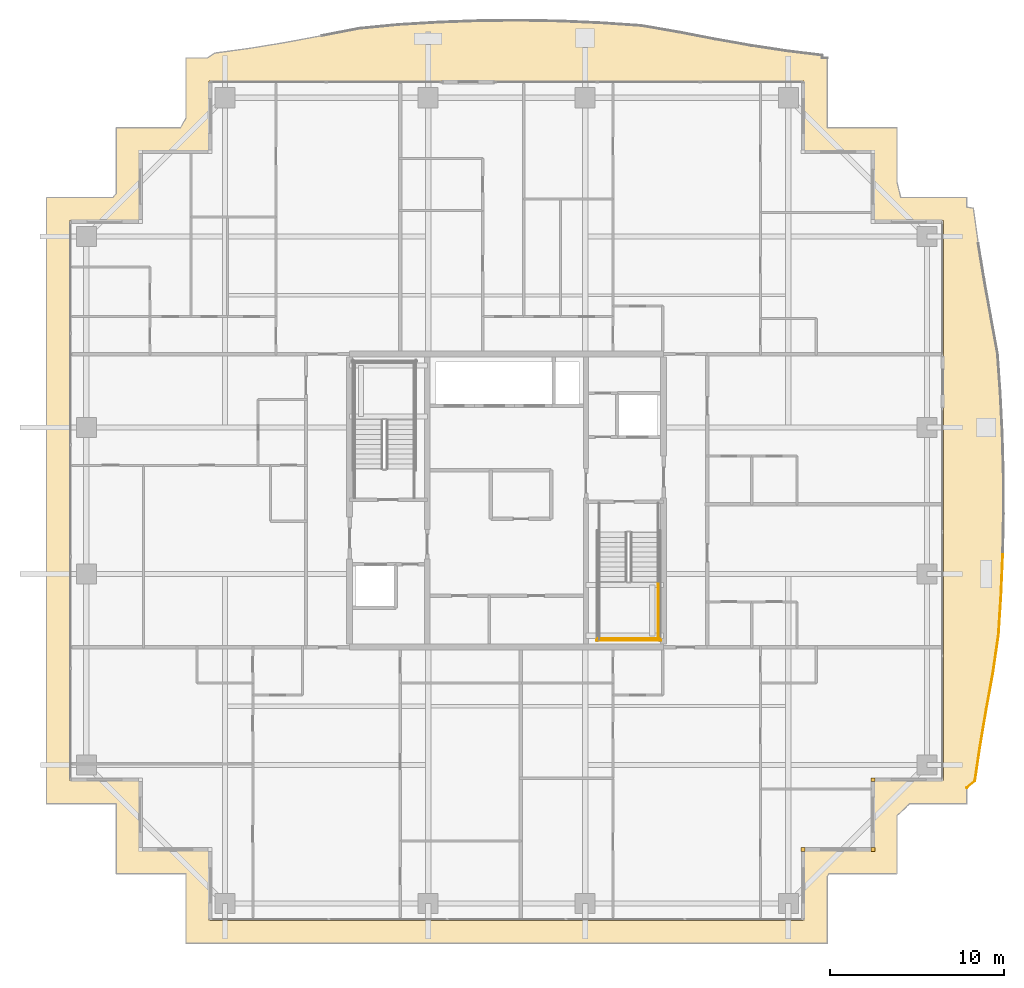
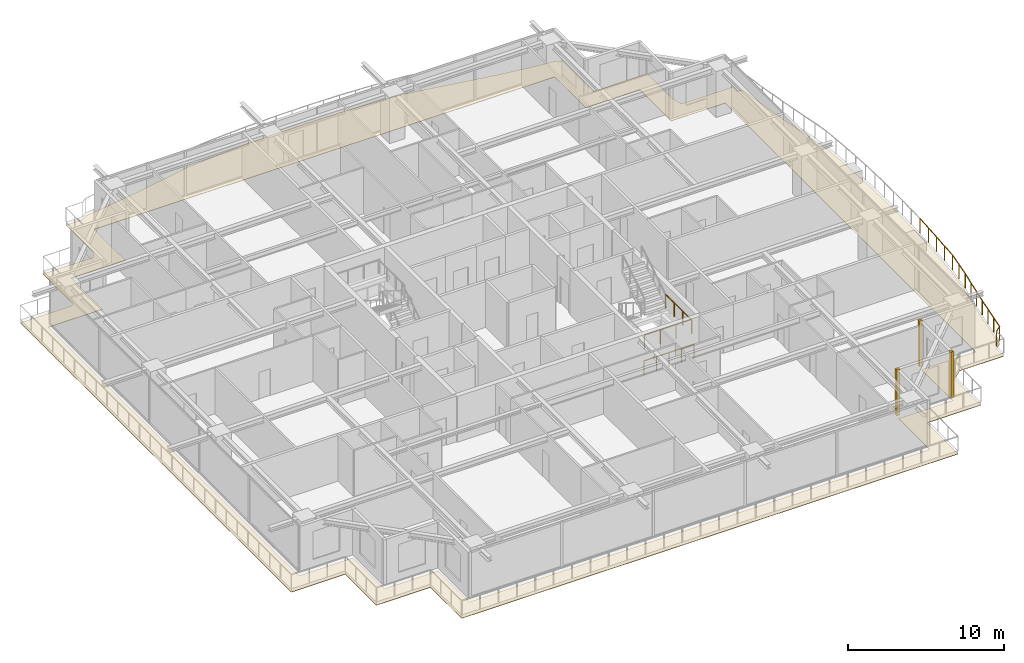
# One storey, part 35 of 37: 4 coverings, 4 railings.
"""IFC4 building model written with IfcOpenShell, lengths in metres."""

from ifc_helpers import new_model, si_unit, direction, frame, origin, origin_2d, place, context, subcontext, project, spatial, polyline, rectangle, circle, outline, extrude, source, transform, mapped, material, layer, layer_set, type_object, element, save


model = new_model("IFC4")

# Units and contexts
model_context = context("Model", 3, precision=1e-05, world=origin(), true_north=direction((0.0, 1.0)))
body_context = subcontext(model_context, "Body", "Model", "MODEL_VIEW")
ifc_project = project(units=[si_unit("LENGTHUNIT", "METRE"), si_unit("AREAUNIT", "SQUARE_METRE"), si_unit("VOLUMEUNIT", "CUBIC_METRE"), si_unit("PLANEANGLEUNIT", "RADIAN"), si_unit("MASSUNIT", "GRAM", prefix="KILO")], contexts=[model_context])

# Site, building, storey
site_placement = place(None, origin())
site = spatial("IfcSite", under=ifc_project, at=site_placement, CompositionType="ELEMENT")
building_placement = place(site_placement, origin())
building = spatial("IfcBuilding", under=site, at=building_placement, Name="Serunith Strait Residences", CompositionType="ELEMENT")
storey_placement = place(building_placement, frame((0.0, 0.0, 279.75)))
storey = spatial("IfcBuildingStorey", under=building, at=storey_placement, Name="L70", CompositionType="ELEMENT", Elevation=279.75)

# Covering
ifc_material_1 = material(Name="Golden Teak Exterior Timber Boarding", Category="wood")
ifc_layer_1 = layer(ifc_material_1, 0.034912109375, Name="Golden Teak Exterior Timber Boarding")
ifc_layer_set_1 = layer_set([ifc_layer_1], Name="Golden Teak Exterior Timber Boarding")
covering_type_1 = type_object("IfcCoveringType", Name="COV-TEAK-SOFFIT", PredefinedType="CEILING", material=ifc_layer_set_1)
covering_placement = place(storey_placement, frame((0.0, 0.0, -0.324951171875)))
element("IfcCovering", 1, at=covering_placement, inside=storey, type_object=covering_type_1, Name="L70 Golden-Teak Balcony Soffit Lining", PredefinedType="CEILING", context=body_context, shape_type="SweptSolid", body=[
    extrude(outline(polyline([(10.02001953125, 46.580078125), (13.705078125, 46.580078125), (14.02001953125, 47.148193359375), (14.02001953125, 50.580078125), (15.25537109375, 50.580078125), (15.652587890625, 50.85546875), (17.677734375, 51.1328125), (19.721435546875, 51.46923828125), (21.802001953125, 51.85693359375), (23.93994140625, 52.27197265625), (26.19384765625, 52.48779296875), (28.49560546875, 52.62548828125), (30.823974609375, 52.710205078125), (33.164794921875, 52.732666015625), (35.502197265625, 52.68994140625), (37.8203125, 52.586181640625), (40.106201171875, 52.431396484375), (42.284912109375, 52.056640625), (44.385498046875, 51.65087890625), (46.43994140625, 51.287353515625), (48.468505859375, 50.98095703125), (50.486328125, 50.733642578125), (50.485107421875, 50.580078125), (50.780029296875, 50.580078125), (50.780029296875, 46.580078125), (54.780029296875, 46.580078125), (54.780029296875, 43.44970703125), (54.992431640625, 42.580078125), (58.780029296875, 42.580078125), (58.780029296875, 42.0302734375), (59.155517578125, 41.966796875), (59.43896484375, 39.936279296875), (59.7744140625, 37.883544921875), (60.150390625, 35.79150390625), (60.5419921875, 33.642578125), (60.701171875, 31.379150390625), (60.815185546875, 29.08349609375), (60.8798828125, 26.766357421875), (60.888916015625, 24.440185546875), (60.841552734375, 22.118896484375), (60.7421875, 19.81494140625), (60.599609375, 17.5390625), (60.28173828125, 15.348388671875), (59.897216796875, 13.23876953125), (59.546142578125, 11.174560546875), (59.24462890625, 9.137939453125), (58.780029296875, 8.743896484375), (58.780029296875, 7.820068359375), (55.502197265625, 7.820068359375), (54.780029296875, 7.14453125), (54.780029296875, 3.820068359375), (50.8818359375, 3.820068359375), (50.780029296875, 3.664306640625), (50.780029296875, -0.179931640625), (14.02001953125, -0.179931640625), (14.02001953125, 3.820068359375), (10.02001953125, 3.820068359375), (10.02001953125, 7.820068359375), (6.02001953125, 7.820068359375), (6.02001953125, 42.580078125), (9.824951171875, 42.580078125), (10.02001953125, 42.802001953125), (10.02001953125, 46.580078125)]), holes=[polyline([(49.455078125, 1.14501953125), (49.455078125, 5.14501953125), (53.455078125, 5.14501953125), (53.455078125, 9.14501953125), (57.455078125, 9.14501953125), (57.455078125, 41.2548828125), (53.455078125, 41.2548828125), (53.455078125, 45.2548828125), (49.455078125, 45.2548828125), (49.455078125, 49.2548828125), (15.344970703125, 49.2548828125), (15.344970703125, 45.2548828125), (11.344970703125, 45.2548828125), (11.344970703125, 41.2548828125), (7.344970703125, 41.2548828125), (7.344970703125, 9.14501953125), (11.344970703125, 9.14501953125), (11.344970703125, 5.14501953125), (15.344970703125, 5.14501953125), (15.344970703125, 1.14501953125), (49.455078125, 1.14501953125)])]), origin(), (0.0, 0.0, 1.0), 0.034912109375),
])

# Railings
ifc_material_2 = material(Name="Stainless Steel & Laminated Glass Balustrade", Category="steel")
railing_type_1 = type_object("IfcRailingType", Name="RLG-BALC-1150", PredefinedType="BALUSTRADE", material=ifc_material_2)
railing_1_placement = place(storey_placement, frame((60.841552734375, 22.118896484375, -0.050048828125)))
element("IfcRailing", 2, at=railing_1_placement, inside=storey, type_object=railing_type_1, Name="L70 Swirling Balcony Perimeter Balustrade 6", PredefinedType="BALUSTRADE", context=body_context, shape_type="SweptSolid", body=[
    extrude(circle(Radius=0.02392578125, at=origin_2d()), frame((0.0, -0.001953125, 1.1259765625), z_axis=(-0.043088058735, -0.999071278335, 0.0), x_axis=(0.999071278335, -0.043088058735, 0.0)), (0.0, 0.0, 1.0), 2.302001953125),
    extrude(circle(Radius=0.02392578125, at=origin_2d()), frame((-0.099609375, -2.305908203125, 1.1259765625), z_axis=(-0.06252492461, -0.998043402765, 0.0), x_axis=(0.998043402765, -0.06252492461, 0.0)), (0.0, 0.0, 1.0), 2.2763671875),
    extrude(circle(Radius=0.02392578125, at=origin_2d()), frame((-0.2421875, -4.581787109375, 1.1259765625), z_axis=(-0.143598147438, -0.989636080614, 0.0), x_axis=(0.989636080614, -0.143598147438, 0.0)), (0.0, 0.0, 1.0), 2.209716796875),
    extrude(circle(Radius=0.02392578125, at=origin_2d()), frame((-0.56005859375, -6.7724609375, 1.1259765625), z_axis=(-0.179316235422, -0.983791485892, 0.0), x_axis=(0.983791485892, -0.179316235422, 0.0)), (0.0, 0.0, 1.0), 2.140380859375),
    extrude(circle(Radius=0.02392578125, at=origin_2d()), frame((-0.944580078125, -8.882080078125, 1.1259765625), z_axis=(-0.167669153934, -0.985843321638, 0.0), x_axis=(0.985843321638, -0.167669153934, 0.0)), (0.0, 0.0, 1.0), 2.08984375),
    extrude(circle(Radius=0.02392578125, at=origin_2d()), frame((-1.295654296875, -10.9462890625, 1.1259765625), z_axis=(-0.146449814791, -0.989218101203, 0.0), x_axis=(0.989218101203, -0.146449814791, 0.0)), (0.0, 0.0, 1.0), 2.054931640625),
    extrude(circle(Radius=0.02392578125, at=origin_2d()), frame((-1.598388671875, -12.982177734375, 1.1259765625), z_axis=(-0.762640922233, -0.646822095893, 0.0), x_axis=(0.646822095893, -0.762640922233, 0.0)), (0.0, 0.0, 1.0), 0.605224609375),
    extrude(circle(Radius=0.02099609375, at=origin_2d()), origin(), (0.0, 0.0, 1.0), 1.099853515625),
    extrude(circle(Radius=0.02099609375, at=origin_2d()), frame((-0.0498046875, -1.15185546875, 0.0)), (0.0, 0.0, 1.0), 1.099853515625),
    extrude(circle(Radius=0.02099609375, at=origin_2d()), frame((-0.099365234375, -2.303955078125, 0.0)), (0.0, 0.0, 1.0), 1.099853515625),
    extrude(circle(Radius=0.02099609375, at=origin_2d()), frame((-0.170654296875, -3.44189453125, 0.0)), (0.0, 0.0, 1.0), 1.099853515625),
    extrude(circle(Radius=0.02099609375, at=origin_2d()), frame((-0.241943359375, -4.579833984375, 0.0)), (0.0, 0.0, 1.0), 1.099853515625),
    extrude(circle(Radius=0.02099609375, at=origin_2d()), frame((-0.40087890625, -5.67529296875, 0.0)), (0.0, 0.0, 1.0), 1.099853515625),
    extrude(circle(Radius=0.02099609375, at=origin_2d()), frame((-0.559814453125, -6.7705078125, 0.0)), (0.0, 0.0, 1.0), 1.099853515625),
    extrude(circle(Radius=0.02099609375, at=origin_2d()), frame((-0.751953125, -7.8251953125, 0.0)), (0.0, 0.0, 1.0), 1.099853515625),
    extrude(circle(Radius=0.02099609375, at=origin_2d()), frame((-0.9443359375, -8.880126953125, 0.0)), (0.0, 0.0, 1.0), 1.099853515625),
    extrude(circle(Radius=0.02099609375, at=origin_2d()), frame((-1.119873046875, -9.912109375, 0.0)), (0.0, 0.0, 1.0), 1.099853515625),
    extrude(circle(Radius=0.02099609375, at=origin_2d()), frame((-1.29541015625, -10.9443359375, 0.0)), (0.0, 0.0, 1.0), 1.099853515625),
    extrude(circle(Radius=0.02099609375, at=origin_2d()), frame((-1.4462890625, -11.962646484375, 0.0)), (0.0, 0.0, 1.0), 1.099853515625),
    extrude(circle(Radius=0.02099609375, at=origin_2d()), frame((-1.596923828125, -12.98095703125, 0.0)), (0.0, 0.0, 1.0), 1.099853515625),
    extrude(circle(Radius=0.02099609375, at=origin_2d()), frame((-2.0615234375, -13.375, 0.0)), (0.0, 0.0, 1.0), 1.099853515625),
])
ifc_material_3 = material(Name="Brushed stainless steel 316L", Category="steel")
railing_type_2 = type_object("IfcRailingType", Name="RLG-STAIR-GUARD", PredefinedType="BALUSTRADE", material=ifc_material_3)
railing_2_placement = place(storey_placement, frame((41.10009765625, 20.570068359375, 1.925048828125)))
element("IfcRailing", 3, at=railing_2_placement, inside=storey, type_object=railing_type_2, Name="L70 ST-2 stair guard 4", PredefinedType="BALUSTRADE", context=body_context, shape_type="SweptSolid", body=[
    extrude(circle(Radius=0.02392578125, at=origin_2d()), frame((0.0, -0.001953125, 1.076171875), z_axis=(0.0, -1.0, 0.0), x_axis=(1.0, 0.0, 0.0)), (0.0, 0.0, 1.0), 3.316162109375),
    extrude(circle(Radius=0.02099609375, at=origin_2d()), origin(), (0.0, 0.0, 1.0), 1.050048828125),
    extrude(circle(Radius=0.02099609375, at=origin_2d()), frame((0.0, -1.106689453125, 0.0)), (0.0, 0.0, 1.0), 1.050048828125),
    extrude(circle(Radius=0.02099609375, at=origin_2d()), frame((0.0, -2.21337890625, 0.0)), (0.0, 0.0, 1.0), 1.050048828125),
    extrude(circle(Radius=0.02099609375, at=origin_2d()), frame((0.0, -3.320068359375, 0.0)), (0.0, 0.0, 1.0), 1.050048828125),
])
railing_3_placement = place(storey_placement, frame((37.64990234375, 17.300048828125, 1.925048828125)))
element("IfcRailing", 4, at=railing_3_placement, inside=storey, type_object=railing_type_2, Name="L70 ST-2 stair guard 5", PredefinedType="BALUSTRADE", context=body_context, shape_type="SweptSolid", body=[
    extrude(circle(Radius=0.02392578125, at=origin_2d()), frame((0.001953125, 0.0, 1.076171875), z_axis=(1.0, 0.0, 0.0), x_axis=(0.0, 1.0, 0.0)), (0.0, 0.0, 1.0), 3.49609375),
    extrude(circle(Radius=0.02099609375, at=origin_2d()), origin(), (0.0, 0.0, 1.0), 1.050048828125),
    extrude(circle(Radius=0.02099609375, at=origin_2d()), frame((1.166748046875, 0.0, 0.0)), (0.0, 0.0, 1.0), 1.050048828125),
    extrude(circle(Radius=0.02099609375, at=origin_2d()), frame((2.333251953125, 0.0, 0.0)), (0.0, 0.0, 1.0), 1.050048828125),
    extrude(circle(Radius=0.02099609375, at=origin_2d()), frame((3.5, 0.0, 0.0)), (0.0, 0.0, 1.0), 1.050048828125),
])
railing_4_placement = place(storey_placement, frame((37.550048828125, 17.199951171875, 0.0)))
element("IfcRailing", 5, at=railing_4_placement, inside=storey, type_object=railing_type_2, Name="L70 ST-2 stair guard 12", PredefinedType="BALUSTRADE", context=body_context, shape_type="SweptSolid", body=[
    extrude(circle(Radius=0.02392578125, at=origin_2d()), frame((0.001953125, 0.0, 1.076171875), z_axis=(1.0, 0.0, 0.0), x_axis=(0.0, 1.0, 0.0)), (0.0, 0.0, 1.0), 3.696044921875),
    extrude(circle(Radius=0.02099609375, at=origin_2d()), origin(), (0.0, 0.0, 1.0), 1.050048828125),
    extrude(circle(Radius=0.02099609375, at=origin_2d()), frame((0.925048828125, 0.0, 0.0)), (0.0, 0.0, 1.0), 1.050048828125),
    extrude(circle(Radius=0.02099609375, at=origin_2d()), frame((1.85009765625, 0.0, 0.0)), (0.0, 0.0, 1.0), 1.050048828125),
    extrude(circle(Radius=0.02099609375, at=origin_2d()), frame((2.77490234375, 0.0, 0.0)), (0.0, 0.0, 1.0), 1.050048828125),
    extrude(circle(Radius=0.02099609375, at=origin_2d()), frame((3.699951171875, 0.0, 0.0)), (0.0, 0.0, 1.0), 1.050048828125),
])

# Coverings
ifc_material_4 = material(Name="Pale-Champagne Anodised Aluminium", Category="aluminium")
ifc_layer_2 = layer(ifc_material_4, 0.219970703125, Name="Pale-Champagne Anodised Aluminium")
ifc_layer_set_2 = layer_set([ifc_layer_2], Name="Pale-Champagne Anodised Aluminium")
covering_type_2 = type_object("IfcCoveringType", Name="COV-CORN-TRIM", PredefinedType="CLADDING", material=ifc_layer_set_2)
shared_shape = source(origin(), body_context, "Body", "SweptSolid", [
    extrude(rectangle(XDim=0.221923828125, YDim=0.221923828125, at=origin_2d()), origin(), (0.0, 0.0, 1.0), 3.574951171875),
])
for number, where, z_axis, x_axis, name in (
    (6, (49.39990234375, 5.199951171875, 0.0), (0.0, 0.0, 1.0), (1.0, 0.0, 0.0), "L70 Girih Serrated Corner Trim Post 02"),
    (7, (53.39990234375, 5.199951171875, 0.0), (0.0, 0.0, 1.0), (1.0, 0.0, 0.0), "L70 Girih Serrated Corner Trim Post 03"),
    (8, (53.39990234375, 9.199951171875, 0.0), (0.0, 0.0, 1.0), (1.0, 0.0, 0.0), "L70 Girih Serrated Corner Trim Post 04"),
):
    element("IfcCovering", number, at=place(storey_placement, frame(where, z_axis=z_axis, x_axis=x_axis)), inside=storey, type_object=covering_type_2, Name=name, PredefinedType="CLADDING", context=body_context, shape_type="MappedRepresentation", body=[
        mapped(shared_shape, transform((0.0, 0.0, 0.0), scale=1.0)),
    ])

save(model, "model.ifc")
